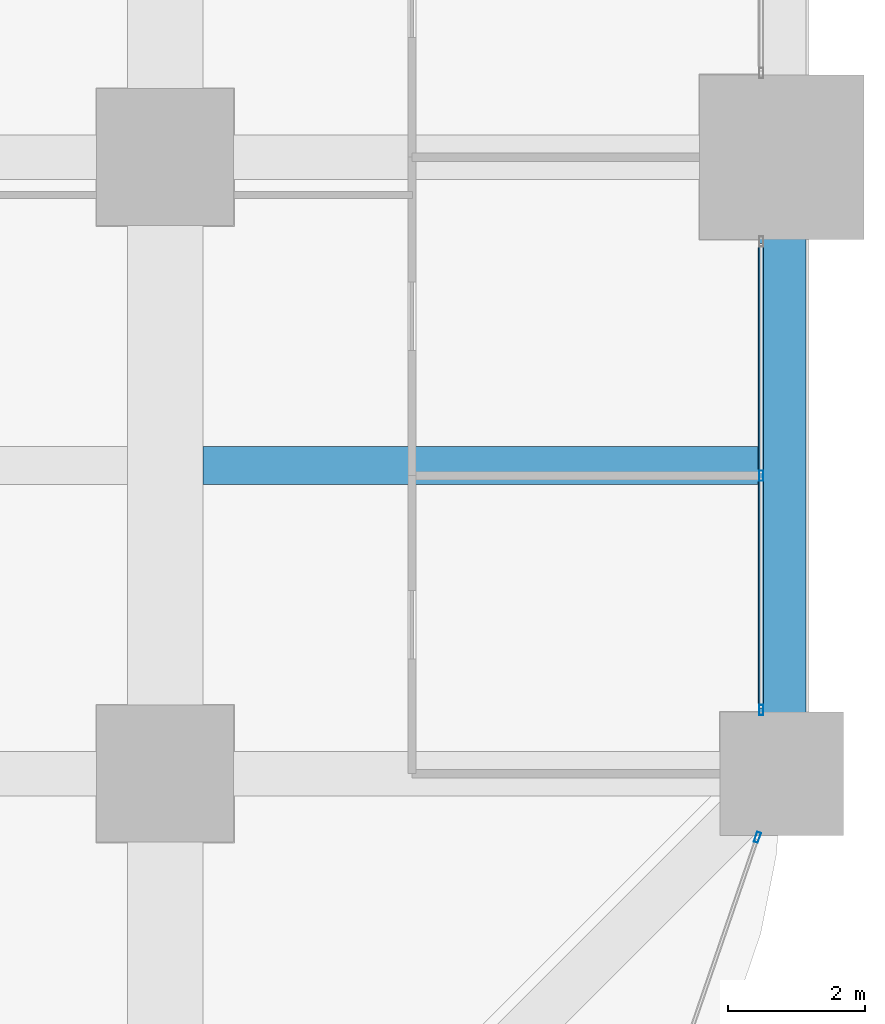
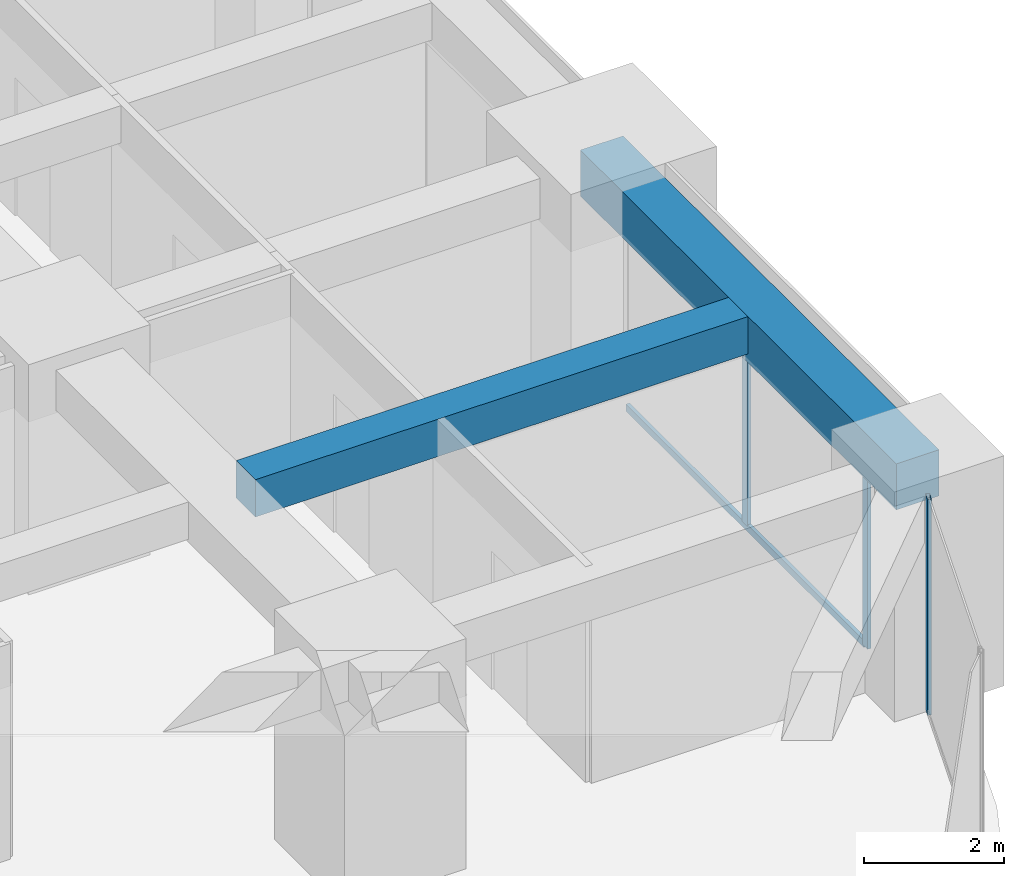
# One storey, part 19 of 41: 4 members, 2 beams, 2 elements without a shape of their own.
"""IFC4 building model written with IfcOpenShell, lengths in metres."""

from ifc_helpers import new_model, si_unit, direction, frame, origin, origin_2d, place, context, subcontext, project, spatial, rectangle, hollow_rectangle, extrude, material, material_profile, profile_set, type_object, element, aggregate, save


model = new_model("IFC4")

# Units and contexts
model_context = context("Model", 3, precision=1e-05, world=origin(), true_north=direction((0.0, 1.0)))
body_context = subcontext(model_context, "Body", "Model", "MODEL_VIEW")
ifc_project = project(units=[si_unit("LENGTHUNIT", "METRE"), si_unit("AREAUNIT", "SQUARE_METRE"), si_unit("VOLUMEUNIT", "CUBIC_METRE"), si_unit("PLANEANGLEUNIT", "RADIAN"), si_unit("MASSUNIT", "GRAM", prefix="KILO")], contexts=[model_context])

# Site, building, storey
site_placement = place(None, origin())
site = spatial("IfcSite", under=ifc_project, at=site_placement, CompositionType="ELEMENT")
building_placement = place(site_placement, origin())
building = spatial("IfcBuilding", under=site, at=building_placement, Name="Zorevar Civic Tower", CompositionType="ELEMENT")
storey_placement = place(building_placement, frame((0.0, 0.0, 109.0)))
storey = spatial("IfcBuildingStorey", under=building, at=storey_placement, Name="L26", CompositionType="ELEMENT", Elevation=109.0)

# Beam
ifc_material_1 = material(Name="Concrete C50/60", Category="concrete")
ifc_material_profile_1 = material_profile(ifc_material_1, rectangle(XDim=0.550048828125, YDim=0.64990234375, at=origin_2d()), Name="RC 550x650")
ifc_profile_set_1 = profile_set([ifc_material_profile_1], Name="Concrete C50/60")
beam_type_1 = type_object("IfcBeamType", Name="Beam RC 550x650", PredefinedType="BEAM", material=ifc_profile_set_1)
beam_1_placement = place(storey_placement, frame((54.550048828125, 13.5, 3.425048828125), z_axis=(1.0, 0.0, 0.0), x_axis=(0.0, 1.0, 0.0)))
element("IfcBeam", 1, at=beam_1_placement, inside=storey, type_object=beam_type_1, Name="Secondary beam L27", PredefinedType="BEAM", context=body_context, shape_type="SweptSolid", body=[
    extrude(rectangle(XDim=0.550048828125, YDim=0.64990234375, at=origin_2d()), origin(), (0.0, 0.0, 1.0), 8.099853515625),
])

# Curtain wall, members
ifc_material_2 = material(Name="Dark grey solar-control glass in black aluminium frame", Category="aluminium")
curtain_wall_type = type_object("IfcCurtainWallType", Name="Curtain wall CW3 mid zone", PredefinedType="NOTDEFINED", material=ifc_material_2)
curtain_wall_1_placement = place(storey_placement, origin())
curtain_wall_1 = element("IfcCurtainWall", 2, at=curtain_wall_1_placement, inside=storey, type_object=curtain_wall_type, Name="CW3 L26", PredefinedType="NOTDEFINED")
ifc_material_3 = material(Name="Aluminium, black anodised", Category="aluminium")
ifc_material_profile_2 = material_profile(ifc_material_3, hollow_rectangle(XDim=0.06005859375, YDim=0.14990234375, WallThickness=0.00390625, at=origin_2d()), Name="AL 150x60x4")
ifc_profile_set_2 = profile_set([ifc_material_profile_2], Name="Aluminium, black anodised")
member_type_1 = type_object("IfcMemberType", Name="CW3 mullion AL 150x60x4", PredefinedType="MULLION", material=ifc_profile_set_2)
member_1_placement = place(storey_placement, frame((62.699951171875, 9.929931640625, 0.0), z_axis=(0.0, 0.0, 1.0), x_axis=(-1.0, 0.0, 0.0)))
member_1 = element("IfcMember", 3, at=member_1_placement, type_object=member_type_1, Name="CW3 mullion 1", PredefinedType="MULLION", context=body_context, shape_type="SweptSolid", body=[
    extrude(hollow_rectangle(XDim=0.06005859375, YDim=0.14990234375, WallThickness=0.00390625, at=origin_2d()), origin(), (0.0, 0.0, 1.0), 2.949951171875),
])
member_2_placement = place(storey_placement, frame((62.699951171875, 13.35009765625, 0.06005859375), z_axis=(0.0, 0.0, 1.0), x_axis=(-1.0, 0.0, 0.0)))
member_2 = element("IfcMember", 4, at=member_2_placement, type_object=member_type_1, Name="CW3 mullion 2", PredefinedType="MULLION", context=body_context, shape_type="SweptSolid", body=[
    extrude(hollow_rectangle(XDim=0.06005859375, YDim=0.14990234375, WallThickness=0.00390625, at=origin_2d()), origin(), (0.0, 0.0, 1.0), 2.889892578125),
])

# Curtain wall, member
curtain_wall_2_placement = place(storey_placement, origin())
curtain_wall_2 = element("IfcCurtainWall", 5, at=curtain_wall_2_placement, inside=storey, type_object=curtain_wall_type, Name="CW3 L26", PredefinedType="NOTDEFINED")
member_3_placement = place(storey_placement, frame((62.6435546875, 8.071533203125, 0.0), z_axis=(0.0, 0.0, 1.0), x_axis=(-0.945755772794, 0.324878466857, 0.0)))
member_3 = element("IfcMember", 6, at=member_3_placement, type_object=member_type_1, Name="CW3 mullion 2", PredefinedType="MULLION", context=body_context, shape_type="SweptSolid", body=[
    extrude(hollow_rectangle(XDim=0.06005859375, YDim=0.14990234375, WallThickness=0.00390625, at=origin_2d()), origin(), (0.0, 0.0, 1.0), 3.75),
])
aggregate(curtain_wall_2, [member_3])

# Member
ifc_material_4 = material(Name="Aluminium, black anodised", Category="aluminium")
ifc_material_profile_3 = material_profile(ifc_material_4, hollow_rectangle(XDim=0.06005859375, YDim=0.1201171875, WallThickness=0.0029296875, at=origin_2d()), Name="AL 120x60x3")
ifc_profile_set_3 = profile_set([ifc_material_profile_3], Name="Aluminium, black anodised")
member_type_2 = type_object("IfcMemberType", Name="CW3 transom AL 120x60x3", PredefinedType="USERDEFINED", material=ifc_profile_set_3)
member_4_placement = place(storey_placement, frame((62.699951171875, 9.9599609375, 0.030029296875), z_axis=(0.0, 1.0, 0.0), x_axis=(-1.0, 0.0, 0.0)))
member_4 = element("IfcMember", 7, at=member_4_placement, type_object=member_type_2, Name="CW3 sill transom", ObjectType="TRANSOM", PredefinedType="USERDEFINED", context=body_context, shape_type="SweptSolid", body=[
    extrude(hollow_rectangle(XDim=0.06005859375, YDim=0.1201171875, WallThickness=0.0029296875, at=origin_2d()), origin(), (0.0, 0.0, 1.0), 6.780029296875),
])

aggregate(curtain_wall_1, [member_1, member_2, member_4])

# Beam
ifc_material_5 = material(Name="Concrete C50/60", Category="concrete")
ifc_material_profile_4 = material_profile(ifc_material_5, rectangle(XDim=0.699951171875, YDim=0.800048828125, at=origin_2d()), Name="RC 700x800")
ifc_profile_set_4 = profile_set([ifc_material_profile_4], Name="Concrete C50/60")
beam_type_2 = type_object("IfcBeamType", Name="Edge beam RC 700x800", PredefinedType="SPANDREL", material=ifc_profile_set_4)
beam_2_placement = place(storey_placement, frame((63.0, 9.0, 3.35009765625), z_axis=(0.0, 1.0, 0.0), x_axis=(-1.0, 0.0, 0.0)))
element("IfcBeam", 8, at=beam_2_placement, inside=storey, type_object=beam_type_2, Name="Edge beam L27", PredefinedType="SPANDREL", context=body_context, shape_type="SweptSolid", body=[
    extrude(rectangle(XDim=0.699951171875, YDim=0.800048828125, at=origin_2d()), origin(), (0.0, 0.0, 1.0), 9.0),
])

save(model, "model.ifc")
